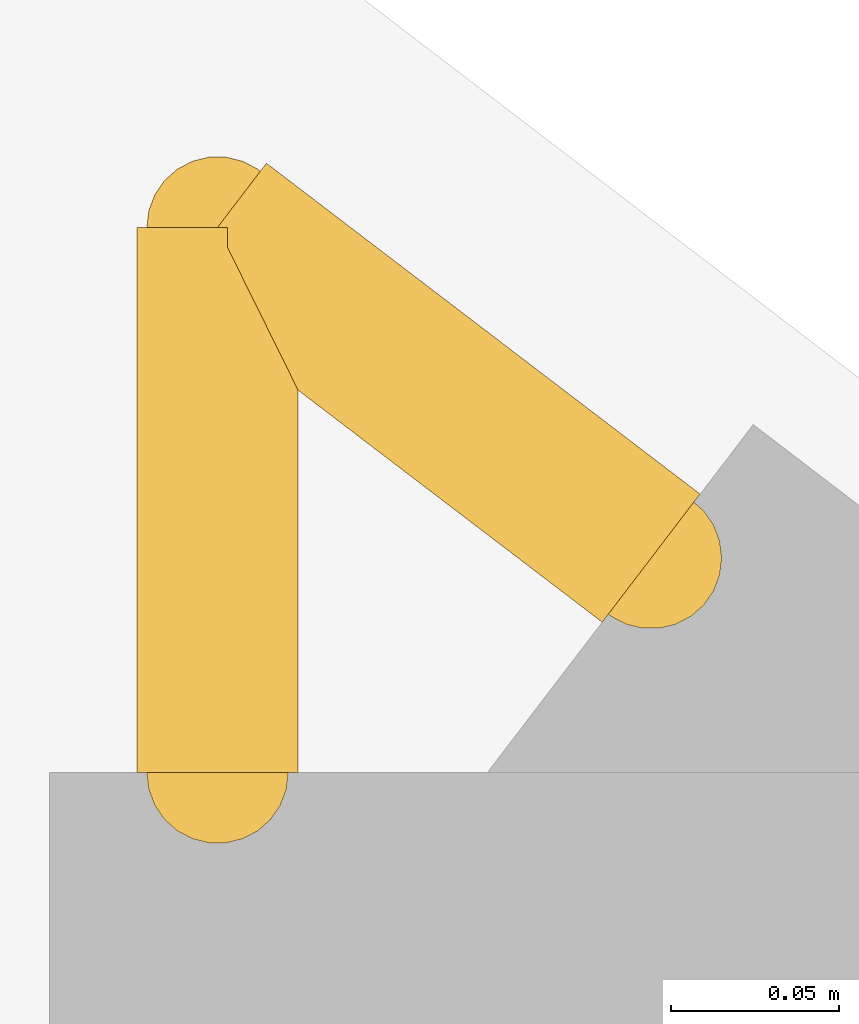
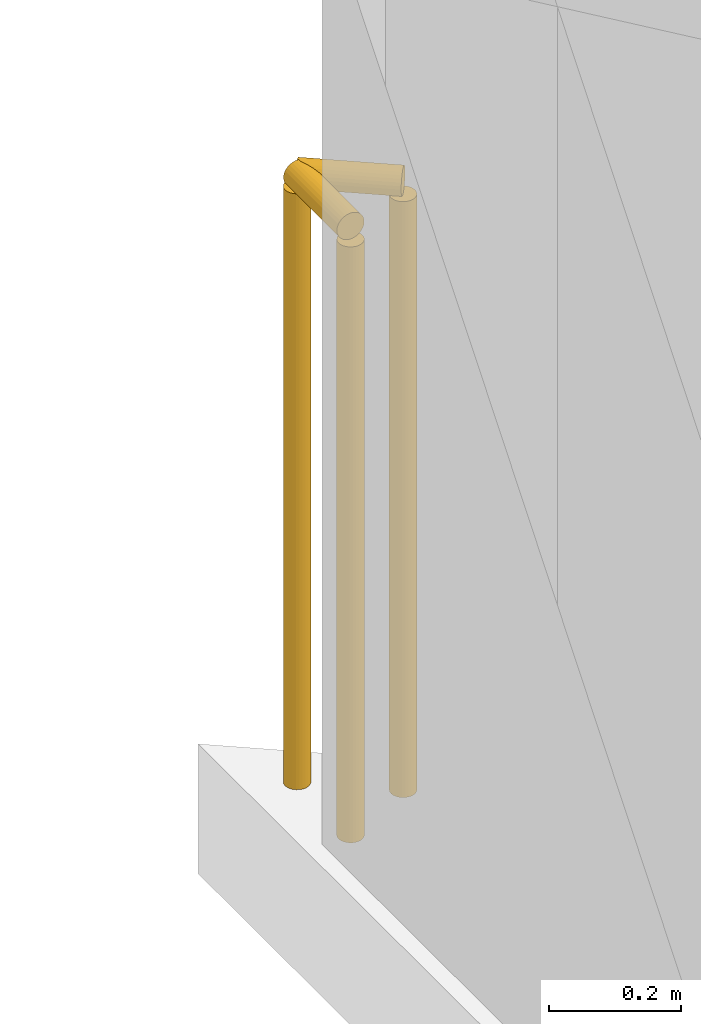
# One storey, part 15 of 15: 2 railings.
"""IFC4 building model written with IfcOpenShell, lengths in metres."""

from ifc_helpers import new_model, si_unit, direction, frame, origin, origin_2d, place, context, subcontext, project, spatial, circle, extrude, material, type_object, element, save


model = new_model("IFC4")

# Units and contexts
model_context = context("Model", 3, precision=1e-05, world=origin(), true_north=direction((0.0, 1.0)))
body_context = subcontext(model_context, "Body", "Model", "MODEL_VIEW")
ifc_project = project(units=[si_unit("LENGTHUNIT", "METRE"), si_unit("AREAUNIT", "SQUARE_METRE"), si_unit("VOLUMEUNIT", "CUBIC_METRE"), si_unit("PLANEANGLEUNIT", "RADIAN"), si_unit("MASSUNIT", "GRAM", prefix="KILO")], contexts=[model_context])

# Site, building, storey
site_placement = place(None, origin())
site = spatial("IfcSite", under=ifc_project, at=site_placement, CompositionType="ELEMENT")
building_placement = place(site_placement, origin())
building = spatial("IfcBuilding", under=site, at=building_placement, Name="Varnakote Quay Hospital", CompositionType="ELEMENT")
storey_placement = place(building_placement, frame((0.0, 0.0, 276.300048828125)))
storey = spatial("IfcBuildingStorey", under=building, at=storey_placement, Name="L68", CompositionType="ELEMENT", Elevation=276.300048828125)

# Railings
ifc_material = material(Name="Anodised aluminium 6063-T6 Bronze", Category="aluminium")
railing_type = type_object("IfcRailingType", Name="RLG-EXT-GUARD-1150", PredefinedType="GUARDRAIL", material=ifc_material)
railing_1_placement = place(storey_placement, frame((2.3798828125, 40.67626953125, 0.0)))
element("IfcRailing", 1, at=railing_1_placement, inside=storey, type_object=railing_type, Name="L68 Slab Edge Perimeter Safety Guard", PredefinedType="GUARDRAIL", context=body_context, shape_type="SweptSolid", body=[
    extrude(circle(Radius=0.02392578125, at=origin_2d()), frame((0.0, 0.0, 1.1259765625), z_axis=(0.0, 1.0, 0.0), x_axis=(-1.0, 0.0, 0.0)), (0.0, 0.0, 1.0), 0.161865234375),
    extrude(circle(Radius=0.02099609375, at=origin_2d()), origin(), (0.0, 0.0, 1.0), 1.101806640625),
    extrude(circle(Radius=0.02099609375, at=origin_2d()), frame((0.0, 0.161865234375, 0.0)), (0.0, 0.0, 1.0), 1.101806640625),
])
railing_2_placement = place(storey_placement, frame((2.3798828125, 40.838134765625, 0.0)))
element("IfcRailing", 2, at=railing_2_placement, inside=storey, type_object=railing_type, Name="L68 Slab Edge Perimeter Safety Guard", PredefinedType="GUARDRAIL", context=body_context, shape_type="SweptSolid", body=[
    extrude(circle(Radius=0.02392578125, at=origin_2d()), frame((0.0, 0.0, 1.1259765625), z_axis=(0.795085260009, -0.606497674618, 0.0), x_axis=(0.606497674618, 0.795085260009, 0.0)), (0.0, 0.0, 1.0), 0.161865234375),
    extrude(circle(Radius=0.02099609375, at=origin_2d()), origin(), (0.0, 0.0, 1.0), 1.101806640625),
    extrude(circle(Radius=0.02099609375, at=origin_2d()), frame((0.128662109375, -0.09814453125, 0.0)), (0.0, 0.0, 1.0), 1.101806640625),
])

save(model, "model.ifc")
